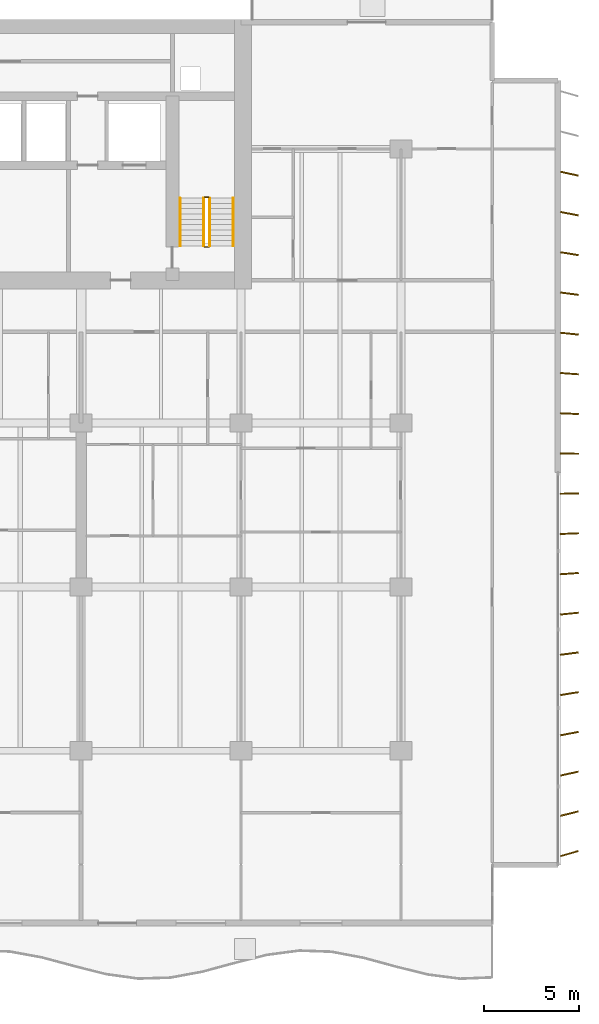
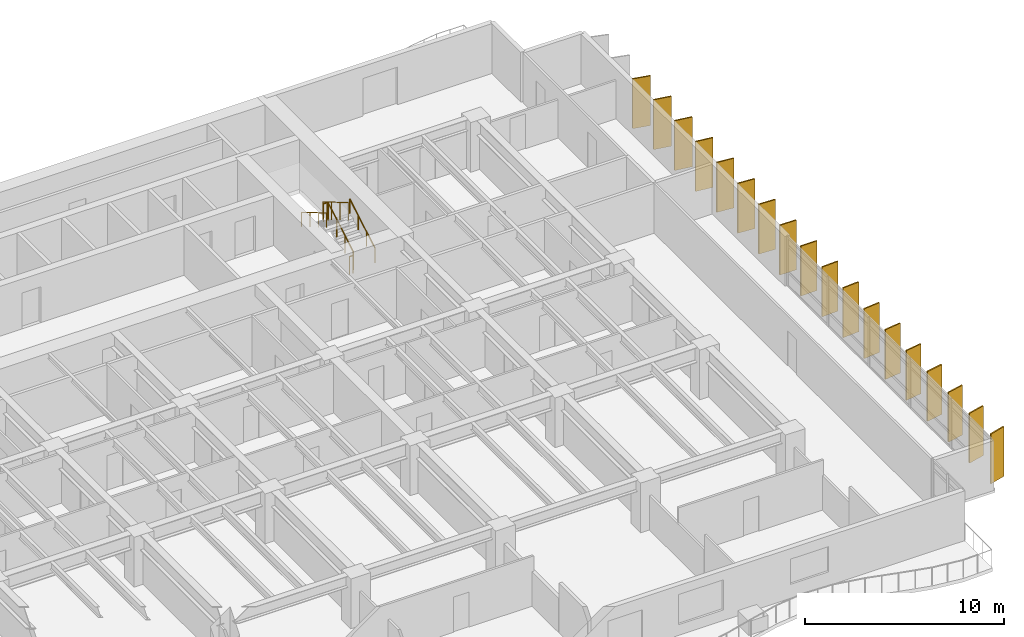
# One storey, part 15 of 16: 18 shading devices, 6 railings.
"""IFC4 building model written with IfcOpenShell, lengths in metres."""

import ifcopenshell
import ifcopenshell.guid

model = None  # the IFC model being written
_history = None  # IfcOwnerHistory: only IFC2X3 demands one
_inside = {}  # id of a spatial element -> (the spatial element, [elements in it])
_under = {}  # id of a project, library or spatial element -> (it, [spatial elements below it])
_declared = {}  # id of a project -> (the project, [libraries it declares])
_typed = {}  # id of a type object -> (the type object, [elements of that type])
_made_of = {}  # id of a material, layer set ... -> (it, [elements and type objects made of it])


def new_model(schema):
    """Start an empty IFC model of exactly this schema.

    Asked for "IFC4X3", IfcOpenShell would pick the latest addendum, in which some entities
    have other attributes; the version numbers below select the first issue.
    IFC2X3 requires an IfcOwnerHistory on every rooted entity: one is made here for all.
    """
    global model, _history
    if schema == "IFC4X3":
        model = ifcopenshell.file(schema_version=(4, 3, 0, 0))
    else:
        model = ifcopenshell.file(schema=schema)
    _inside.clear()
    _under.clear()
    _declared.clear()
    _typed.clear()
    _made_of.clear()
    _history = None
    if model.schema == "IFC2X3":
        org = make("IfcOrganization", Name="unknown")
        user = make(
            "IfcPersonAndOrganization",
            ThePerson=make("IfcPerson", FamilyName="unknown"),
            TheOrganization=org,
        )
        app = make(
            "IfcApplication",
            ApplicationDeveloper=org,
            Version="unknown",
            ApplicationFullName="unknown",
            ApplicationIdentifier="unknown",
        )
        _history = make(
            "IfcOwnerHistory",
            OwningUser=user,
            OwningApplication=app,
            ChangeAction="ADDED",
            CreationDate=0,
        )
    return model


def make(cls, **values):
    """One entity of the class cls with the attributes given. An attribute that is None is left unset."""
    return model.create_entity(
        cls, **{name: value for name, value in values.items() if value is not None}
    )


def rooted(cls, **values):
    """An entity with a GlobalId (a new one), such as an element, a storey or a relation."""
    return make(cls, GlobalId=ifcopenshell.guid.new(), OwnerHistory=_history, **values)


def si_unit(unit_type, name, prefix=None):
    """IfcSIUnit, for example si_unit("LENGTHUNIT", "METRE", prefix="MILLI")."""
    return make("IfcSIUnit", UnitType=unit_type, Prefix=prefix, Name=name)


def assignment(units):
    """IfcUnitAssignment: the units of a project."""
    return None if units is None else make("IfcUnitAssignment", Units=units)


def point(xyz):
    """IfcCartesianPoint."""
    return None if xyz is None else make("IfcCartesianPoint", Coordinates=xyz)


def direction(xyz):
    """IfcDirection."""
    return None if xyz is None else make("IfcDirection", DirectionRatios=xyz)


def frame(location, z_axis=None, x_axis=None):
    """IfcAxis2Placement3D, a coordinate frame: its origin and axes. An axis left out is left unset."""
    return make(
        "IfcAxis2Placement3D",
        Location=point(location),
        Axis=direction(z_axis),
        RefDirection=direction(x_axis),
    )


def frame_2d(location, x_axis=None):
    """IfcAxis2Placement2D, a coordinate frame in the plane: its origin and x axis."""
    return make(
        "IfcAxis2Placement2D", Location=point(location), RefDirection=direction(x_axis)
    )


def origin():
    """The frame at (0, 0, 0) with its axes left unset."""
    return frame((0.0, 0.0, 0.0))


def origin_2d():
    """The frame at (0, 0) in the plane with its x axis left unset."""
    return frame_2d((0.0, 0.0))


def place(relative_to, where):
    """IfcLocalPlacement: puts the frame where relative to a parent placement (None: the world)."""
    return make(
        "IfcLocalPlacement", PlacementRelTo=relative_to, RelativePlacement=where
    )


def context(
    kind, dimensions, precision=None, world=None, true_north=None, identifier=None
):
    """IfcGeometricRepresentationContext, for example the 3D "Model" context."""
    return make(
        "IfcGeometricRepresentationContext",
        ContextIdentifier=identifier,
        ContextType=kind,
        CoordinateSpaceDimension=dimensions,
        Precision=precision,
        WorldCoordinateSystem=world,
        TrueNorth=true_north,
    )


def subcontext(parent, identifier, kind, view, scale=None):
    """IfcGeometricRepresentationSubContext, for example "Body" below "Model"."""
    return make(
        "IfcGeometricRepresentationSubContext",
        ContextIdentifier=identifier,
        ContextType=kind,
        ParentContext=parent,
        TargetScale=scale,
        TargetView=view,
    )


def project(units=None, contexts=None):
    """IfcProject with its units and contexts."""
    return rooted(
        "IfcProject",
        Name="project",
        RepresentationContexts=contexts,
        UnitsInContext=assignment(units),
    )


def spatial(cls, under=None, at=None, **own):
    """A site, building, storey or space (cls), placed at a placement, below another one or the project."""
    s = rooted(cls, ObjectPlacement=at, **own)
    if under is not None:
        _under.setdefault(under.id(), (under, []))[1].append(s)
    return s


def profile(cls, at=None, kind="AREA", **sizes):
    """A parametric profile (cls). Its sizes go by their IFC names, for example OverallWidth=200.0."""
    return make(cls, ProfileType=kind, Position=at, **sizes)


def rectangle(**sizes):
    """IfcRectangleProfileDef."""
    return profile("IfcRectangleProfileDef", **sizes)


def circle(**sizes):
    """IfcCircleProfileDef."""
    return profile("IfcCircleProfileDef", **sizes)


def extrude(swept, where, along, depth):
    """IfcExtrudedAreaSolid: the profile swept, set in the frame where, extruded along a direction by depth."""
    return make(
        "IfcExtrudedAreaSolid",
        SweptArea=swept,
        Position=where,
        ExtrudedDirection=direction(along),
        Depth=depth,
    )


def shape(context_of_items, identifier, shape_type, items):
    """IfcShapeRepresentation: the items that make up one representation, for example the "Body"."""
    return make(
        "IfcShapeRepresentation",
        ContextOfItems=context_of_items,
        RepresentationIdentifier=identifier,
        RepresentationType=shape_type,
        Items=items,
    )


def material(Name=None, Category=None):
    """IfcMaterial."""
    return make("IfcMaterial", Name=Name, Category=Category)


def material_profile(
    of_material, cross_section, Name=None, Category=None, Priority=None
):
    """IfcMaterialProfile: a cross section and its material."""
    return make(
        "IfcMaterialProfile",
        Name=Name,
        Material=of_material,
        Profile=cross_section,
        Priority=Priority,
        Category=Category,
    )


def profile_set(profiles, Name=None, composite=None):
    """IfcMaterialProfileSet."""
    return make(
        "IfcMaterialProfileSet",
        Name=Name,
        MaterialProfiles=profiles,
        CompositeProfile=composite,
    )


def made_of(thing, what):
    """Note that an element or type object is made of a material, layer set ...; save() writes the relation."""
    if what is not None:
        _made_of.setdefault(what.id(), (what, []))[1].append(thing)
    return thing


def type_object(cls, material=None, **own):
    """A type object (cls), such as IfcWallType, which elements share."""
    return made_of(rooted(cls, **own), material)


def element(
    cls,
    number,
    at=None,
    inside=None,
    cuts=None,
    type_object=None,
    material=None,
    context=None,
    identifier="Body",
    shape_type=None,
    held_by="IfcProductDefinitionShape",
    body=None,
    shapes=None,
    **own,
):
    """One element of the class cls, such as IfcWall. Its Tag is "e" and its number.

    at: its placement. inside: the storey or other place that contains it. cuts: it is an
    opening in that element (IfcRelVoidsElement). A single representation is given by context,
    identifier, shape_type and body (its items); several are given by shapes. held_by: the class
    of the entity that holds the representations. save() writes the other relations.
    """
    e = rooted(cls, Tag="e%d" % number, ObjectPlacement=at, **own)
    if body is not None:
        shapes = [shape(context, identifier, shape_type, body)]
    if shapes is not None:
        e.Representation = make(held_by, Representations=shapes)
    if inside is not None:
        _inside.setdefault(inside.id(), (inside, []))[1].append(e)
    if cuts is not None:
        rooted(
            "IfcRelVoidsElement", RelatingBuildingElement=cuts, RelatedOpeningElement=e
        )
    if type_object is not None:
        _typed.setdefault(type_object.id(), (type_object, []))[1].append(e)
    return made_of(e, material)


def aggregate(whole, parts):
    """IfcRelAggregates: a whole, such as a stair, and the parts it consists of."""
    return rooted("IfcRelAggregates", RelatingObject=whole, RelatedObjects=parts)


def save(model, path):
    """Write the relations noted so far, then the file.

    IfcRelAggregates (storeys below a building ...), IfcRelContainedInSpatialStructure (elements
    in a storey), IfcRelDefinesByType, IfcRelAssociatesMaterial and IfcRelDeclares: one each for
    every whole, place, type object, material and project.
    """
    for whole, parts in _under.values():
        aggregate(whole, parts)
    for where, things in _inside.values():
        rooted(
            "IfcRelContainedInSpatialStructure",
            RelatedElements=things,
            RelatingStructure=where,
        )
    for kind, things in _typed.values():
        rooted("IfcRelDefinesByType", RelatedObjects=things, RelatingType=kind)
    for what, things in _made_of.values():
        rooted("IfcRelAssociatesMaterial", RelatedObjects=things, RelatingMaterial=what)
    for by, libraries in _declared.values():
        rooted("IfcRelDeclares", RelatingContext=by, RelatedDefinitions=libraries)
    model.write(path)


model = new_model("IFC4")

# Units and contexts
model_context = context("Model", 3, precision=1e-05, world=origin(), true_north=direction((0.0, 1.0)))
body_context = subcontext(model_context, "Body", "Model", "MODEL_VIEW")
ifc_project = project(units=[si_unit("LENGTHUNIT", "METRE"), si_unit("AREAUNIT", "SQUARE_METRE"), si_unit("VOLUMEUNIT", "CUBIC_METRE"), si_unit("PLANEANGLEUNIT", "RADIAN"), si_unit("MASSUNIT", "GRAM", prefix="KILO")], contexts=[model_context])

# Site, building, storey
site_placement = place(None, origin())
site = spatial("IfcSite", under=ifc_project, at=site_placement, CompositionType="ELEMENT")
building_placement = place(site_placement, origin())
building = spatial("IfcBuilding", under=site, at=building_placement, Name="Caelmar Bay Residences", CompositionType="ELEMENT")
storey_placement = place(building_placement, frame((0.0, 0.0, 72.89990234375)))
storey = spatial("IfcBuildingStorey", under=building, at=storey_placement, Name="L19", CompositionType="ELEMENT", Elevation=72.89990234375)

# Railings
ifc_material_1 = material(Name="Painted galvanized steel stair guard 1100 mm", Category="steel")
railing_type_1 = type_object("IfcRailingType", Name="RL-GRD-1100", PredefinedType="GUARDRAIL", material=ifc_material_1)
railing_1_placement = place(storey_placement, frame((57.85009765625, 38.699951171875, 0.1650390625)))
element("IfcRailing", 1, at=railing_1_placement, inside=storey, type_object=railing_type_1, Name="L19 ST2 stair guard 1", PredefinedType="GUARDRAIL", context=body_context, shape_type="SweptSolid", body=[
    extrude(circle(Radius=0.02392578125, at=origin_2d()), frame((0.0, 0.0, 1.076171875), z_axis=(0.0, 0.86152411907, 0.507716645641), x_axis=(-1.0, 0.0, 0.0)), (0.0, 0.0, 1.0), 2.925048828125),
    extrude(circle(Radius=0.02099609375, at=origin_2d()), origin(), (0.0, 0.0, 1.0), 1.052001953125),
    extrude(circle(Radius=0.02099609375, at=origin_2d()), frame((0.0, 0.840087890625, 0.4951171875)), (0.0, 0.0, 1.0), 1.052001953125),
    extrude(circle(Radius=0.02099609375, at=origin_2d()), frame((0.0, 1.679931640625, 0.989990234375)), (0.0, 0.0, 1.0), 1.052001953125),
    extrude(circle(Radius=0.02099609375, at=origin_2d()), frame((0.0, 2.52001953125, 1.485107421875)), (0.0, 0.0, 1.0), 1.052001953125),
])
railing_2_placement = place(storey_placement, frame((57.800048828125, 41.27001953125, 1.650146484375)))
element("IfcRailing", 2, at=railing_2_placement, inside=storey, type_object=railing_type_1, Name="L19 ST2 stair guard 2", PredefinedType="GUARDRAIL", context=body_context, shape_type="SweptSolid", body=[
    extrude(circle(Radius=0.02392578125, at=origin_2d()), frame((0.0, 0.0, 1.076171875), z_axis=(-1.0, 0.0, 0.0), x_axis=(0.0, -1.0, 0.0)), (0.0, 0.0, 1.0), 0.199951171875),
    extrude(circle(Radius=0.02099609375, at=origin_2d()), origin(), (0.0, 0.0, 1.0), 1.052001953125),
    extrude(circle(Radius=0.02099609375, at=origin_2d()), frame((-0.199951171875, 0.0, 0.0)), (0.0, 0.0, 1.0), 1.052001953125),
])
railing_3_placement = place(storey_placement, frame((57.550048828125, 41.219970703125, 1.815185546875)))
element("IfcRailing", 3, at=railing_3_placement, inside=storey, type_object=railing_type_1, Name="L19 ST2 stair guard 3", PredefinedType="GUARDRAIL", context=body_context, shape_type="SweptSolid", body=[
    extrude(circle(Radius=0.02392578125, at=origin_2d()), frame((0.0, 0.0, 1.076171875), z_axis=(0.0, -0.861560626758, 0.507654692109), x_axis=(1.0, 0.0, 0.0)), (0.0, 0.0, 1.0), 2.925048828125),
    extrude(circle(Radius=0.02099609375, at=origin_2d()), origin(), (0.0, 0.0, 1.0), 1.052001953125),
    extrude(circle(Radius=0.02099609375, at=origin_2d()), frame((0.0, -0.840087890625, 0.494873046875)), (0.0, 0.0, 1.0), 1.052001953125),
    extrude(circle(Radius=0.02099609375, at=origin_2d()), frame((0.0, -1.679931640625, 0.989990234375)), (0.0, 0.0, 1.0), 1.052001953125),
    extrude(circle(Radius=0.02099609375, at=origin_2d()), frame((0.0, -2.52001953125, 1.48486328125)), (0.0, 0.0, 1.0), 1.052001953125),
])
railing_4_placement = place(storey_placement, frame((57.800048828125, 38.64990234375, 0.0)))
element("IfcRailing", 4, at=railing_4_placement, inside=storey, type_object=railing_type_1, Name="L19 ST2 stair guard 4", PredefinedType="GUARDRAIL", context=body_context, shape_type="SweptSolid", body=[
    extrude(circle(Radius=0.02392578125, at=origin_2d()), frame((0.0, 0.0, 1.076171875), z_axis=(-1.0, 0.0, 0.0), x_axis=(0.0, -1.0, 0.0)), (0.0, 0.0, 1.0), 0.199951171875),
    extrude(circle(Radius=0.02099609375, at=origin_2d()), origin(), (0.0, 0.0, 1.0), 1.052001953125),
    extrude(circle(Radius=0.02099609375, at=origin_2d()), frame((-0.199951171875, 0.0, 0.0)), (0.0, 0.0, 1.0), 1.052001953125),
])
ifc_material_2 = material(Name="Brushed bronze stainless-steel tubular handrail 900 mm", Category="steel")
railing_type_2 = type_object("IfcRailingType", Name="RL-HND-900", PredefinedType="HANDRAIL", material=ifc_material_2)
railing_5_placement = place(storey_placement, frame((59.10009765625, 38.699951171875, 0.1650390625)))
element("IfcRailing", 5, at=railing_5_placement, inside=storey, type_object=railing_type_2, Name="L19 ST2 stair handrail 1", PredefinedType="HANDRAIL", context=body_context, shape_type="SweptSolid", body=[
    extrude(circle(Radius=0.02392578125, at=origin_2d()), frame((0.0, 0.0, 0.8759765625), z_axis=(0.0, 0.86152411907, 0.507716645641), x_axis=(-1.0, 0.0, 0.0)), (0.0, 0.0, 1.0), 2.925048828125),
    extrude(circle(Radius=0.02099609375, at=origin_2d()), origin(), (0.0, 0.0, 1.0), 0.851806640625),
    extrude(circle(Radius=0.02099609375, at=origin_2d()), frame((0.0, 0.840087890625, 0.4951171875)), (0.0, 0.0, 1.0), 0.851806640625),
    extrude(circle(Radius=0.02099609375, at=origin_2d()), frame((0.0, 1.679931640625, 0.989990234375)), (0.0, 0.0, 1.0), 0.851806640625),
    extrude(circle(Radius=0.02099609375, at=origin_2d()), frame((0.0, 2.52001953125, 1.485107421875)), (0.0, 0.0, 1.0), 0.851806640625),
])
railing_6_placement = place(storey_placement, frame((56.300048828125, 41.219970703125, 1.815185546875)))
element("IfcRailing", 6, at=railing_6_placement, inside=storey, type_object=railing_type_2, Name="L19 ST2 stair handrail 2", PredefinedType="HANDRAIL", context=body_context, shape_type="SweptSolid", body=[
    extrude(circle(Radius=0.02392578125, at=origin_2d()), frame((0.0, 0.0, 0.8759765625), z_axis=(0.0, -0.861560626758, 0.507654692109), x_axis=(1.0, 0.0, 0.0)), (0.0, 0.0, 1.0), 2.925048828125),
    extrude(circle(Radius=0.02099609375, at=origin_2d()), origin(), (0.0, 0.0, 1.0), 0.851806640625),
    extrude(circle(Radius=0.02099609375, at=origin_2d()), frame((0.0, -0.840087890625, 0.494873046875)), (0.0, 0.0, 1.0), 0.851806640625),
    extrude(circle(Radius=0.02099609375, at=origin_2d()), frame((0.0, -1.679931640625, 0.989990234375)), (0.0, 0.0, 1.0), 0.851806640625),
    extrude(circle(Radius=0.02099609375, at=origin_2d()), frame((0.0, -2.52001953125, 1.48486328125)), (0.0, 0.0, 1.0), 0.851806640625),
])

# Shading devices
ifc_material_3 = material(Name="Anodised architectural bronze aluminium 6063-T6", Category="aluminium")
ifc_material_profile = material_profile(ifc_material_3, rectangle(XDim=0.074951171875, YDim=0.949951171875, at=origin_2d()), Name="BRONZE-FIN-75X950")
ifc_profile_set = profile_set([ifc_material_profile], Name="Anodised architectural bronze aluminium 6063-T6")
shading_device_type = type_object("IfcShadingDeviceType", Name="SHD-FIN-950", PredefinedType="USERDEFINED", material=ifc_profile_set)
for number, where, z_axis, x_axis, name in (
    (7, (76.75, 6.800048828125, 0.0), (0.0, 0.0, 1.0), (-0.275637355817, 0.961261695938, 0.0), "L19 East Bronze Solar Fin 1"),
    (8, (76.75, 8.89990234375, 0.0), (0.0, 0.0, 1.0), (-0.247337247968, 0.968929453452, 0.0), "L19 East Bronze Solar Fin 2"),
    (9, (76.75, 11.0, 0.0), (0.0, 0.0, 1.0), (-0.218654200292, 0.975802408633, 0.0), "L19 East Bronze Solar Fin 3"),
    (10, (76.75, 13.10009765625, 0.0), (0.0, 0.0, 1.0), (-0.189952291512, 0.981793321911, 0.0), "L19 East Bronze Solar Fin 4"),
    (11, (76.75, 15.199951171875, 0.0), (0.0, 0.0, 1.0), (-0.160914826518, 0.986968296657, 0.0), "L19 East Bronze Solar Fin 5"),
    (12, (76.75, 17.300048828125, 0.0), (0.0, 0.0, 1.0), (-0.131910382711, 0.991261646052, 0.0), "L19 East Bronze Solar Fin 6"),
    (13, (76.75, 19.39990234375, 0.0), (0.0, 0.0, 1.0), (-0.10261892683, 0.994720742649, 0.0), "L19 East Bronze Solar Fin 7"),
    (14, (76.75, 21.5, 0.0), (0.0, 0.0, 1.0), (-0.073412260224, 0.997301679558, 0.0), "L19 East Bronze Solar Fin 8"),
    (15, (76.75, 23.60009765625, 0.0), (0.0, 0.0, 1.0), (-0.044142481788, 0.999025245578, 0.0), "L19 East Bronze Solar Fin 9"),
    (16, (76.75, 25.699951171875, 0.0), (0.0, 0.0, 1.0), (-0.01466024053, 0.999892532899, 0.0), "L19 East Bronze Solar Fin 10"),
    (17, (76.75, 27.800048828125, 0.0), (0.0, 0.0, 1.0), (0.01466024053, 0.999892532899, 0.0), "L19 East Bronze Solar Fin 11"),
    (18, (76.75, 29.89990234375, 0.0), (0.0, 0.0, 1.0), (0.044142481788, 0.999025245578, 0.0), "L19 East Bronze Solar Fin 12"),
    (19, (76.75, 32.0, 0.0), (0.0, 0.0, 1.0), (0.073412260224, 0.997301679558, 0.0), "L19 East Bronze Solar Fin 13"),
    (20, (76.75, 34.10009765625, 0.0), (0.0, 0.0, 1.0), (0.10261892683, 0.994720742649, 0.0), "L19 East Bronze Solar Fin 14"),
    (21, (76.75, 36.199951171875, 0.0), (0.0, 0.0, 1.0), (0.131910382711, 0.991261646052, 0.0), "L19 East Bronze Solar Fin 15"),
    (22, (76.75, 38.300048828125, 0.0), (0.0, 0.0, 1.0), (0.160914826518, 0.986968296657, 0.0), "L19 East Bronze Solar Fin 16"),
    (23, (76.75, 40.39990234375, 0.0), (0.0, 0.0, 1.0), (0.189952291512, 0.981793321911, 0.0), "L19 East Bronze Solar Fin 17"),
    (24, (76.75, 42.5, 0.0), (0.0, 0.0, 1.0), (0.218654200292, 0.975802408633, 0.0), "L19 East Bronze Solar Fin 18"),
):
    element("IfcShadingDevice", number, at=place(storey_placement, frame(where, z_axis=z_axis, x_axis=x_axis)), inside=storey, type_object=shading_device_type, Name=name, ObjectType="FIN", PredefinedType="USERDEFINED", context=body_context, shape_type="SweptSolid", body=[
        extrude(rectangle(XDim=0.074951171875, YDim=0.949951171875, at=origin_2d()), origin(), (0.0, 0.0, 1.0), 3.050048828125),
    ])

save(model, "model.ifc")
